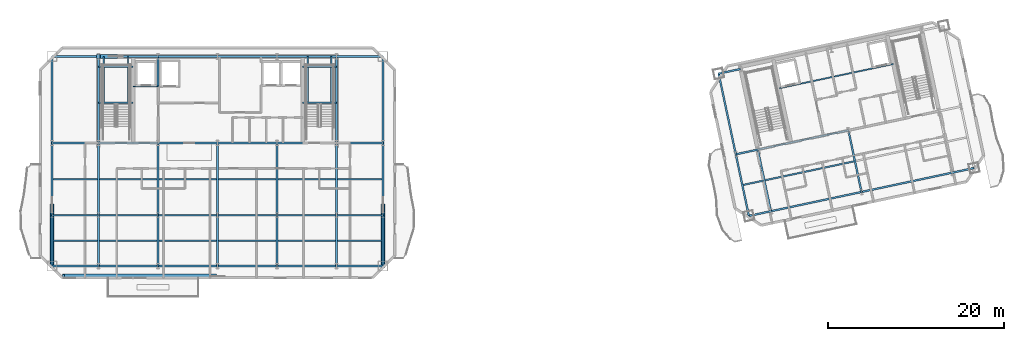
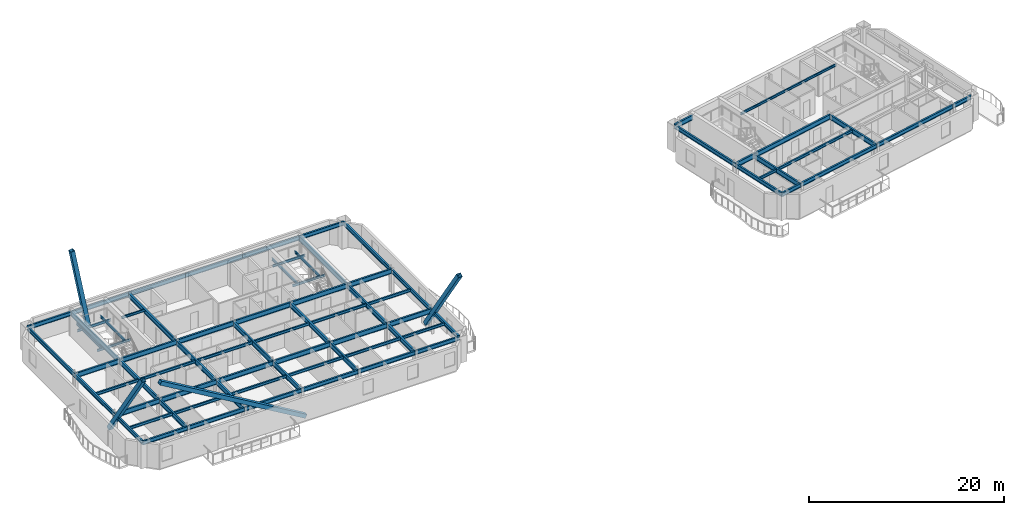
# One storey, part 3 of 14: 78 beams, 4 members.
"""IFC4 building model written with IfcOpenShell, lengths in metres."""

from ifc_helpers import new_model, si_unit, direction, frame, origin, origin_2d, place, context, subcontext, project, spatial, hollow_rectangle, i_section, extrude, material, material_profile, profile_set, type_object, element, save


model = new_model("IFC4")

# Units and contexts
model_context = context("Model", 3, precision=1e-05, world=origin(), true_north=direction((0.0, 1.0)))
body_context = subcontext(model_context, "Body", "Model", "MODEL_VIEW")
ifc_project = project(units=[si_unit("LENGTHUNIT", "METRE"), si_unit("AREAUNIT", "SQUARE_METRE"), si_unit("VOLUMEUNIT", "CUBIC_METRE"), si_unit("PLANEANGLEUNIT", "RADIAN"), si_unit("MASSUNIT", "GRAM", prefix="KILO")], contexts=[model_context])

# Site, building, storey
site_placement = place(None, origin())
site = spatial("IfcSite", under=ifc_project, at=site_placement, CompositionType="ELEMENT")
building_placement = place(site_placement, origin())
building = spatial("IfcBuilding", under=site, at=building_placement, Name="Haevon Station Towers", CompositionType="ELEMENT")
storey_placement = place(building_placement, frame((0.0, 0.0, 228.60009765625)))
storey = spatial("IfcBuildingStorey", under=building, at=storey_placement, Name="L63", CompositionType="ELEMENT", Elevation=228.60009765625)

# Beams
ifc_material_1 = material(Name="Steel S355", Category="steel")
ifc_material_profile_1 = material_profile(ifc_material_1, i_section(OverallWidth=0.199951171875, OverallDepth=0.60009765625, WebThickness=0.010986328125, FlangeThickness=0.01708984375, at=origin_2d()), Name="H-600x200x11x17")
ifc_profile_set_1 = profile_set([ifc_material_profile_1], Name="Steel S355")
beam_type_1 = type_object("IfcBeamType", Name="BM-G600", PredefinedType="BEAM", material=ifc_profile_set_1)
beam_1_placement = place(storey_placement, frame((18.75, 30.0, 2.75), z_axis=(1.0, 0.0, 0.0), x_axis=(0.0, 1.0, 0.0)))
element("IfcBeam", 1, at=beam_1_placement, inside=storey, type_object=beam_type_1, Name="BM-T1U-L63-02-01", PredefinedType="BEAM", context=body_context, shape_type="SweptSolid", body=[
    extrude(i_section(OverallWidth=0.199951171875, OverallDepth=0.60009765625, WebThickness=0.010986328125, FlangeThickness=0.01708984375, at=origin_2d()), origin(), (0.0, 0.0, 1.0), 5.25),
])
for number, where, z_axis, x_axis, name in (
    (2, (24.0, 30.0, 2.75), (1.0, 0.0, 0.0), (0.0, 1.0, 0.0), "BM-T1U-L63-02-02"),
    (3, (30.75, 30.0, 2.75), (1.0, 0.0, 0.0), (0.0, 1.0, 0.0), "BM-T1U-L63-02-03"),
    (4, (37.5, 30.0, 2.75), (1.0, 0.0, 0.0), (0.0, 1.0, 0.0), "BM-T1U-L63-02-04"),
    (5, (44.25, 30.0, 2.75), (1.0, 0.0, 0.0), (0.0, 1.0, 0.0), "BM-T1U-L63-02-05"),
):
    element("IfcBeam", number, at=place(storey_placement, frame(where, z_axis=z_axis, x_axis=x_axis)), inside=storey, type_object=beam_type_1, Name=name, PredefinedType="BEAM", context=body_context, shape_type="SweptSolid", body=[
        extrude(i_section(OverallWidth=0.199951171875, OverallDepth=0.60009765625, WebThickness=0.010986328125, FlangeThickness=0.01708984375, at=origin_2d()), origin(), (0.0, 0.0, 1.0), 6.75),
    ])
for number, where, z_axis, x_axis, name in (
    (6, (51.0, 30.0, 2.75), (1.0, 0.0, 0.0), (0.0, 1.0, 0.0), "BM-T1U-L63-02-06"),
    (7, (18.75, 38.199951171875, 2.75), (1.0, 0.0, 0.0), (0.0, 1.0, 0.0), "BM-T1U-L63-03-01"),
):
    element("IfcBeam", number, at=place(storey_placement, frame(where, z_axis=z_axis, x_axis=x_axis)), inside=storey, type_object=beam_type_1, Name=name, PredefinedType="BEAM", context=body_context, shape_type="SweptSolid", body=[
        extrude(i_section(OverallWidth=0.199951171875, OverallDepth=0.60009765625, WebThickness=0.010986328125, FlangeThickness=0.01708984375, at=origin_2d()), origin(), (0.0, 0.0, 1.0), 5.25),
    ])
for number, where, z_axis, x_axis, name in (
    (8, (24.0, 38.199951171875, 2.75), (1.0, 0.0, 0.0), (0.0, 1.0, 0.0), "BM-T1U-L63-03-02"),
    (9, (30.75, 38.199951171875, 2.75), (1.0, 0.0, 0.0), (0.0, 1.0, 0.0), "BM-T1U-L63-03-03"),
    (10, (37.5, 38.199951171875, 2.75), (1.0, 0.0, 0.0), (0.0, 1.0, 0.0), "BM-T1U-L63-03-04"),
    (11, (44.25, 38.199951171875, 2.75), (1.0, 0.0, 0.0), (0.0, 1.0, 0.0), "BM-T1U-L63-03-05"),
):
    element("IfcBeam", number, at=place(storey_placement, frame(where, z_axis=z_axis, x_axis=x_axis)), inside=storey, type_object=beam_type_1, Name=name, PredefinedType="BEAM", context=body_context, shape_type="SweptSolid", body=[
        extrude(i_section(OverallWidth=0.199951171875, OverallDepth=0.60009765625, WebThickness=0.010986328125, FlangeThickness=0.01708984375, at=origin_2d()), origin(), (0.0, 0.0, 1.0), 6.75),
    ])
beam_2_placement = place(storey_placement, frame((51.0, 38.199951171875, 2.75), z_axis=(1.0, 0.0, 0.0), x_axis=(0.0, 1.0, 0.0)))
element("IfcBeam", 12, at=beam_2_placement, inside=storey, type_object=beam_type_1, Name="BM-T1U-L63-03-06", PredefinedType="BEAM", context=body_context, shape_type="SweptSolid", body=[
    extrude(i_section(OverallWidth=0.199951171875, OverallDepth=0.60009765625, WebThickness=0.010986328125, FlangeThickness=0.01708984375, at=origin_2d()), origin(), (0.0, 0.0, 1.0), 5.25),
])
beam_3_placement = place(storey_placement, frame((24.0, 24.25, 2.75), z_axis=(0.0, 1.0, 0.0), x_axis=(-1.0, 0.0, 0.0)))
element("IfcBeam", 13, at=beam_3_placement, inside=storey, type_object=beam_type_1, Name="BM-T1V-L63-02-01", PredefinedType="BEAM", context=body_context, shape_type="SweptSolid", body=[
    extrude(i_section(OverallWidth=0.199951171875, OverallDepth=0.60009765625, WebThickness=0.010986328125, FlangeThickness=0.01708984375, at=origin_2d()), origin(), (0.0, 0.0, 1.0), 5.75),
])
beam_4_placement = place(storey_placement, frame((24.0, 30.0, 2.75), z_axis=(0.0, 1.0, 0.0), x_axis=(-1.0, 0.0, 0.0)))
element("IfcBeam", 14, at=beam_4_placement, inside=storey, type_object=beam_type_1, Name="BM-T1V-L63-02-02", PredefinedType="BEAM", context=body_context, shape_type="SweptSolid", body=[
    extrude(i_section(OverallWidth=0.199951171875, OverallDepth=0.60009765625, WebThickness=0.010986328125, FlangeThickness=0.01708984375, at=origin_2d()), origin(), (0.0, 0.0, 1.0), 8.199951171875),
])
beam_5_placement = place(storey_placement, frame((24.0, 38.199951171875, 2.75), z_axis=(0.0, 1.0, 0.0), x_axis=(-1.0, 0.0, 0.0)))
element("IfcBeam", 15, at=beam_5_placement, inside=storey, type_object=beam_type_1, Name="BM-T1V-L63-02-03", PredefinedType="BEAM", context=body_context, shape_type="SweptSolid", body=[
    extrude(i_section(OverallWidth=0.199951171875, OverallDepth=0.60009765625, WebThickness=0.010986328125, FlangeThickness=0.01708984375, at=origin_2d()), origin(), (0.0, 0.0, 1.0), 9.800048828125),
])
beam_6_placement = place(storey_placement, frame((30.75, 24.25, 2.75), z_axis=(0.0, 1.0, 0.0), x_axis=(-1.0, 0.0, 0.0)))
element("IfcBeam", 16, at=beam_6_placement, inside=storey, type_object=beam_type_1, Name="BM-T1V-L63-03-01", PredefinedType="BEAM", context=body_context, shape_type="SweptSolid", body=[
    extrude(i_section(OverallWidth=0.199951171875, OverallDepth=0.60009765625, WebThickness=0.010986328125, FlangeThickness=0.01708984375, at=origin_2d()), origin(), (0.0, 0.0, 1.0), 5.75),
])
beam_7_placement = place(storey_placement, frame((30.75, 30.0, 2.75), z_axis=(0.0, 1.0, 0.0), x_axis=(-1.0, 0.0, 0.0)))
element("IfcBeam", 17, at=beam_7_placement, inside=storey, type_object=beam_type_1, Name="BM-T1V-L63-03-02", PredefinedType="BEAM", context=body_context, shape_type="SweptSolid", body=[
    extrude(i_section(OverallWidth=0.199951171875, OverallDepth=0.60009765625, WebThickness=0.010986328125, FlangeThickness=0.01708984375, at=origin_2d()), origin(), (0.0, 0.0, 1.0), 8.199951171875),
])
beam_8_placement = place(storey_placement, frame((30.75, 38.199951171875, 2.75), z_axis=(0.0, 1.0, 0.0), x_axis=(-1.0, 0.0, 0.0)))
element("IfcBeam", 18, at=beam_8_placement, inside=storey, type_object=beam_type_1, Name="BM-T1V-L63-03-03", PredefinedType="BEAM", context=body_context, shape_type="SweptSolid", body=[
    extrude(i_section(OverallWidth=0.199951171875, OverallDepth=0.60009765625, WebThickness=0.010986328125, FlangeThickness=0.01708984375, at=origin_2d()), origin(), (0.0, 0.0, 1.0), 9.800048828125),
])
beam_9_placement = place(storey_placement, frame((37.5, 24.25, 2.75), z_axis=(0.0, 1.0, 0.0), x_axis=(-1.0, 0.0, 0.0)))
element("IfcBeam", 19, at=beam_9_placement, inside=storey, type_object=beam_type_1, Name="BM-T1V-L63-04-01", PredefinedType="BEAM", context=body_context, shape_type="SweptSolid", body=[
    extrude(i_section(OverallWidth=0.199951171875, OverallDepth=0.60009765625, WebThickness=0.010986328125, FlangeThickness=0.01708984375, at=origin_2d()), origin(), (0.0, 0.0, 1.0), 5.75),
])
beam_10_placement = place(storey_placement, frame((37.5, 30.0, 2.75), z_axis=(0.0, 1.0, 0.0), x_axis=(-1.0, 0.0, 0.0)))
element("IfcBeam", 20, at=beam_10_placement, inside=storey, type_object=beam_type_1, Name="BM-T1V-L63-04-02", PredefinedType="BEAM", context=body_context, shape_type="SweptSolid", body=[
    extrude(i_section(OverallWidth=0.199951171875, OverallDepth=0.60009765625, WebThickness=0.010986328125, FlangeThickness=0.01708984375, at=origin_2d()), origin(), (0.0, 0.0, 1.0), 8.199951171875),
])
beam_11_placement = place(storey_placement, frame((44.25, 24.25, 2.75), z_axis=(0.0, 1.0, 0.0), x_axis=(-1.0, 0.0, 0.0)))
element("IfcBeam", 21, at=beam_11_placement, inside=storey, type_object=beam_type_1, Name="BM-T1V-L63-05-01", PredefinedType="BEAM", context=body_context, shape_type="SweptSolid", body=[
    extrude(i_section(OverallWidth=0.199951171875, OverallDepth=0.60009765625, WebThickness=0.010986328125, FlangeThickness=0.01708984375, at=origin_2d()), origin(), (0.0, 0.0, 1.0), 5.75),
])
beam_12_placement = place(storey_placement, frame((44.25, 30.0, 2.75), z_axis=(0.0, 1.0, 0.0), x_axis=(-1.0, 0.0, 0.0)))
element("IfcBeam", 22, at=beam_12_placement, inside=storey, type_object=beam_type_1, Name="BM-T1V-L63-05-02", PredefinedType="BEAM", context=body_context, shape_type="SweptSolid", body=[
    extrude(i_section(OverallWidth=0.199951171875, OverallDepth=0.60009765625, WebThickness=0.010986328125, FlangeThickness=0.01708984375, at=origin_2d()), origin(), (0.0, 0.0, 1.0), 8.199951171875),
])
beam_13_placement = place(storey_placement, frame((51.0, 24.25, 2.75), z_axis=(0.0, 1.0, 0.0), x_axis=(-1.0, 0.0, 0.0)))
element("IfcBeam", 23, at=beam_13_placement, inside=storey, type_object=beam_type_1, Name="BM-T1V-L63-06-01", PredefinedType="BEAM", context=body_context, shape_type="SweptSolid", body=[
    extrude(i_section(OverallWidth=0.199951171875, OverallDepth=0.60009765625, WebThickness=0.010986328125, FlangeThickness=0.01708984375, at=origin_2d()), origin(), (0.0, 0.0, 1.0), 5.75),
])
beam_14_placement = place(storey_placement, frame((51.0, 30.0, 2.75), z_axis=(0.0, 1.0, 0.0), x_axis=(-1.0, 0.0, 0.0)))
element("IfcBeam", 24, at=beam_14_placement, inside=storey, type_object=beam_type_1, Name="BM-T1V-L63-06-02", PredefinedType="BEAM", context=body_context, shape_type="SweptSolid", body=[
    extrude(i_section(OverallWidth=0.199951171875, OverallDepth=0.60009765625, WebThickness=0.010986328125, FlangeThickness=0.01708984375, at=origin_2d()), origin(), (0.0, 0.0, 1.0), 8.199951171875),
])
beam_15_placement = place(storey_placement, frame((51.0, 38.199951171875, 2.75), z_axis=(0.0, 1.0, 0.0), x_axis=(-1.0, 0.0, 0.0)))
element("IfcBeam", 25, at=beam_15_placement, inside=storey, type_object=beam_type_1, Name="BM-T1V-L63-06-03", PredefinedType="BEAM", context=body_context, shape_type="SweptSolid", body=[
    extrude(i_section(OverallWidth=0.199951171875, OverallDepth=0.60009765625, WebThickness=0.010986328125, FlangeThickness=0.01708984375, at=origin_2d()), origin(), (0.0, 0.0, 1.0), 9.800048828125),
])
beam_16_placement = place(storey_placement, frame((96.258056640625, 36.912353515625, 2.75), z_axis=(0.978161040728, 0.207848450565, 0.0), x_axis=(-0.207848450565, 0.978161040728, 0.0)))
element("IfcBeam", 26, at=beam_16_placement, inside=storey, type_object=beam_type_1, Name="BM-T2U-L63-02-01", PredefinedType="BEAM", context=body_context, shape_type="SweptSolid", body=[
    extrude(i_section(OverallWidth=0.199951171875, OverallDepth=0.60009765625, WebThickness=0.010986328125, FlangeThickness=0.01708984375, at=origin_2d()), origin(), (0.0, 0.0, 1.0), 2.550048828125),
])
beam_17_placement = place(storey_placement, frame((98.75244140625, 37.4423828125, 2.75), z_axis=(0.978146794194, 0.207915485254, 0.0), x_axis=(-0.207915485254, 0.978146794194, 0.0)))
element("IfcBeam", 27, at=beam_17_placement, inside=storey, type_object=beam_type_1, Name="BM-T2U-L63-02-02", PredefinedType="BEAM", context=body_context, shape_type="SweptSolid", body=[
    extrude(i_section(OverallWidth=0.199951171875, OverallDepth=0.60009765625, WebThickness=0.010986328125, FlangeThickness=0.01708984375, at=origin_2d()), origin(), (0.0, 0.0, 1.0), 10.5),
])
beam_18_placement = place(storey_placement, frame((94.314208984375, 46.057861328125, 2.75), z_axis=(0.978137432142, 0.207959524531, 0.0), x_axis=(-0.207959524531, 0.978137432142, 0.0)))
element("IfcBeam", 28, at=beam_18_placement, inside=storey, type_object=beam_type_1, Name="BM-T2U-L63-03-01", PredefinedType="BEAM", context=body_context, shape_type="SweptSolid", body=[
    extrude(i_section(OverallWidth=0.199951171875, OverallDepth=0.60009765625, WebThickness=0.010986328125, FlangeThickness=0.01708984375, at=origin_2d()), origin(), (0.0, 0.0, 1.0), 2.5498046875),
])
for number, where, z_axis, x_axis, name in (
    (29, (100.23681640625, 30.45849609375, 2.75), (-0.207898833396, 0.978150333575, 0.0), (-0.978150333575, -0.207898833396, 0.0), "BM-T2V-L63-02-01"),
    (30, (110.50732421875, 32.6416015625, 2.75), (-0.207898833396, 0.978150333575, 0.0), (-0.978150333575, -0.207898833396, 0.0), "BM-T2V-L63-03-01"),
):
    element("IfcBeam", number, at=place(storey_placement, frame(where, z_axis=z_axis, x_axis=x_axis)), inside=storey, type_object=beam_type_1, Name=name, PredefinedType="BEAM", context=body_context, shape_type="SweptSolid", body=[
        extrude(i_section(OverallWidth=0.199951171875, OverallDepth=0.60009765625, WebThickness=0.010986328125, FlangeThickness=0.01708984375, at=origin_2d()), origin(), (0.0, 0.0, 1.0), 7.139892578125),
    ])
ifc_material_profile_2 = material_profile(ifc_material_1, i_section(OverallWidth=0.175048828125, OverallDepth=0.35009765625, WebThickness=0.007080078125, FlangeThickness=0.010986328125, at=origin_2d()), Name="H-350x175x7x11")
ifc_profile_set_2 = profile_set([ifc_material_profile_2], Name="Steel S355")
beam_type_2 = type_object("IfcBeamType", Name="BM-J350", PredefinedType="JOIST", material=ifc_profile_set_2)
beam_19_placement = place(storey_placement, frame((18.860107421875, 27.125, 2.875), z_axis=(1.0, 0.0, 0.0), x_axis=(0.0, 1.0, 0.0)))
element("IfcBeam", 31, at=beam_19_placement, inside=storey, type_object=beam_type_2, Name="BM-T1J-L63-01-01", PredefinedType="JOIST", context=body_context, shape_type="SweptSolid", body=[
    extrude(i_section(OverallWidth=0.175048828125, OverallDepth=0.35009765625, WebThickness=0.007080078125, FlangeThickness=0.010986328125, at=origin_2d()), origin(), (0.0, 0.0, 1.0), 5.02978515625),
])
for number, where, z_axis, x_axis, name in (
    (32, (24.110107421875, 27.125, 2.875), (1.0, 0.0, 0.0), (0.0, 1.0, 0.0), "BM-T1J-L63-01-02"),
    (33, (30.860107421875, 27.125, 2.875), (1.0, 0.0, 0.0), (0.0, 1.0, 0.0), "BM-T1J-L63-01-03"),
    (34, (37.610107421875, 27.125, 2.875), (1.0, 0.0, 0.0), (0.0, 1.0, 0.0), "BM-T1J-L63-01-04"),
    (35, (44.360107421875, 27.125, 2.875), (1.0, 0.0, 0.0), (0.0, 1.0, 0.0), "BM-T1J-L63-01-05"),
):
    element("IfcBeam", number, at=place(storey_placement, frame(where, z_axis=z_axis, x_axis=x_axis)), inside=storey, type_object=beam_type_2, Name=name, PredefinedType="JOIST", context=body_context, shape_type="SweptSolid", body=[
        extrude(i_section(OverallWidth=0.175048828125, OverallDepth=0.35009765625, WebThickness=0.007080078125, FlangeThickness=0.010986328125, at=origin_2d()), origin(), (0.0, 0.0, 1.0), 6.52978515625),
    ])
for number, where, z_axis, x_axis, name in (
    (36, (51.110107421875, 27.125, 2.875), (1.0, 0.0, 0.0), (0.0, 1.0, 0.0), "BM-T1J-L63-01-06"),
    (37, (18.860107421875, 34.10009765625, 2.875), (1.0, 0.0, 0.0), (0.0, 1.0, 0.0), "BM-T1J-L63-02-01"),
):
    element("IfcBeam", number, at=place(storey_placement, frame(where, z_axis=z_axis, x_axis=x_axis)), inside=storey, type_object=beam_type_2, Name=name, PredefinedType="JOIST", context=body_context, shape_type="SweptSolid", body=[
        extrude(i_section(OverallWidth=0.175048828125, OverallDepth=0.35009765625, WebThickness=0.007080078125, FlangeThickness=0.010986328125, at=origin_2d()), origin(), (0.0, 0.0, 1.0), 5.02978515625),
    ])
for number, where, z_axis, x_axis, name in (
    (38, (24.110107421875, 34.10009765625, 2.875), (1.0, 0.0, 0.0), (0.0, 1.0, 0.0), "BM-T1J-L63-02-02"),
    (39, (30.860107421875, 34.10009765625, 2.875), (1.0, 0.0, 0.0), (0.0, 1.0, 0.0), "BM-T1J-L63-02-03"),
    (40, (37.610107421875, 34.10009765625, 2.875), (1.0, 0.0, 0.0), (0.0, 1.0, 0.0), "BM-T1J-L63-02-04"),
    (41, (44.360107421875, 34.10009765625, 2.875), (1.0, 0.0, 0.0), (0.0, 1.0, 0.0), "BM-T1J-L63-02-05"),
):
    element("IfcBeam", number, at=place(storey_placement, frame(where, z_axis=z_axis, x_axis=x_axis)), inside=storey, type_object=beam_type_2, Name=name, PredefinedType="JOIST", context=body_context, shape_type="SweptSolid", body=[
        extrude(i_section(OverallWidth=0.175048828125, OverallDepth=0.35009765625, WebThickness=0.007080078125, FlangeThickness=0.010986328125, at=origin_2d()), origin(), (0.0, 0.0, 1.0), 6.52978515625),
    ])
beam_20_placement = place(storey_placement, frame((51.110107421875, 34.10009765625, 2.875), z_axis=(1.0, 0.0, 0.0), x_axis=(0.0, 1.0, 0.0)))
element("IfcBeam", 42, at=beam_20_placement, inside=storey, type_object=beam_type_2, Name="BM-T1J-L63-02-06", PredefinedType="JOIST", context=body_context, shape_type="SweptSolid", body=[
    extrude(i_section(OverallWidth=0.175048828125, OverallDepth=0.35009765625, WebThickness=0.007080078125, FlangeThickness=0.010986328125, at=origin_2d()), origin(), (0.0, 0.0, 1.0), 5.02978515625),
])
beam_21_placement = place(storey_placement, frame((97.10791015625, 33.443115234375, 2.875), z_axis=(0.978152192783, 0.207890085751, 0.0), x_axis=(-0.207890085751, 0.978152192783, 0.0)))
element("IfcBeam", 43, at=beam_21_placement, inside=storey, type_object=beam_type_2, Name="BM-T2J-L63-01-01", PredefinedType="JOIST", context=body_context, shape_type="SweptSolid", body=[
    extrude(i_section(OverallWidth=0.175048828125, OverallDepth=0.35009765625, WebThickness=0.007080078125, FlangeThickness=0.010986328125, at=origin_2d()), origin(), (0.0, 0.0, 1.0), 2.330078125),
])
beam_22_placement = place(storey_placement, frame((99.602294921875, 33.973388671875, 2.875), z_axis=(0.978149313139, 0.20790363442, 0.0), x_axis=(-0.20790363442, 0.978149313139, 0.0)))
element("IfcBeam", 44, at=beam_22_placement, inside=storey, type_object=beam_type_2, Name="BM-T2J-L63-01-02", PredefinedType="JOIST", context=body_context, shape_type="SweptSolid", body=[
    extrude(i_section(OverallWidth=0.175048828125, OverallDepth=0.35009765625, WebThickness=0.007080078125, FlangeThickness=0.010986328125, at=origin_2d()), origin(), (0.0, 0.0, 1.0), 10.27978515625),
])
ifc_material_profile_3 = material_profile(ifc_material_1, i_section(OverallWidth=0.14990234375, OverallDepth=0.300048828125, WebThickness=0.006591796875, FlangeThickness=0.009033203125, at=origin_2d()), Name="H-300x150x6.5x9")
ifc_profile_set_3 = profile_set([ifc_material_profile_3], Name="Steel S355")
beam_type_3 = type_object("IfcBeamType", Name="BM-LIN300", PredefinedType="LINTEL", material=ifc_profile_set_3)
for number, where, z_axis, x_axis, name in (
    (45, (24.0, 42.743896484375, 1.2998046875), (1.0, 0.0, 0.0), (0.0, 1.0, 0.0), "BM-ST1L-L63-1-S"),
    (46, (24.0, 46.820068359375, 1.2998046875), (1.0, 0.0, 0.0), (0.0, 1.0, 0.0), "BM-ST1L-L63-1-N"),
):
    element("IfcBeam", number, at=place(storey_placement, frame(where, z_axis=z_axis, x_axis=x_axis)), inside=storey, type_object=beam_type_3, Name=name, PredefinedType="LINTEL", context=body_context, shape_type="SweptSolid", body=[
        extrude(i_section(OverallWidth=0.14990234375, OverallDepth=0.300048828125, WebThickness=0.006591796875, FlangeThickness=0.009033203125, at=origin_2d()), origin(), (0.0, 0.0, 1.0), 3.949951171875),
    ])
for number, where, z_axis, x_axis, name in (
    (47, (24.60009765625, 42.743896484375, 1.2998046875), (0.0, 1.0, 0.0), (-1.0, 0.0, 0.0), "BM-ST1L-L63-1-W"),
    (48, (27.35009765625, 42.743896484375, 1.2998046875), (0.0, 1.0, 0.0), (-1.0, 0.0, 0.0), "BM-ST1L-L63-1-E"),
):
    element("IfcBeam", number, at=place(storey_placement, frame(where, z_axis=z_axis, x_axis=x_axis)), inside=storey, type_object=beam_type_3, Name=name, PredefinedType="LINTEL", context=body_context, shape_type="SweptSolid", body=[
        extrude(i_section(OverallWidth=0.14990234375, OverallDepth=0.300048828125, WebThickness=0.006591796875, FlangeThickness=0.009033203125, at=origin_2d()), origin(), (0.0, 0.0, 1.0), 5.256103515625),
    ])
for number, where, z_axis, x_axis, name in (
    (49, (47.14990234375, 42.743896484375, 1.2998046875), (1.0, 0.0, 0.0), (0.0, 1.0, 0.0), "BM-ST2L-L63-1-S"),
    (50, (47.14990234375, 46.820068359375, 1.2998046875), (1.0, 0.0, 0.0), (0.0, 1.0, 0.0), "BM-ST2L-L63-1-N"),
):
    element("IfcBeam", number, at=place(storey_placement, frame(where, z_axis=z_axis, x_axis=x_axis)), inside=storey, type_object=beam_type_3, Name=name, PredefinedType="LINTEL", context=body_context, shape_type="SweptSolid", body=[
        extrude(i_section(OverallWidth=0.14990234375, OverallDepth=0.300048828125, WebThickness=0.006591796875, FlangeThickness=0.009033203125, at=origin_2d()), origin(), (0.0, 0.0, 1.0), 3.85009765625),
    ])
for number, where, z_axis, x_axis, name in (
    (51, (47.75, 42.743896484375, 1.2998046875), (0.0, 1.0, 0.0), (-1.0, 0.0, 0.0), "BM-ST2L-L63-1-W"),
    (52, (50.39990234375, 42.743896484375, 1.2998046875), (0.0, 1.0, 0.0), (-1.0, 0.0, 0.0), "BM-ST2L-L63-1-E"),
):
    element("IfcBeam", number, at=place(storey_placement, frame(where, z_axis=z_axis, x_axis=x_axis)), inside=storey, type_object=beam_type_3, Name=name, PredefinedType="LINTEL", context=body_context, shape_type="SweptSolid", body=[
        extrude(i_section(OverallWidth=0.14990234375, OverallDepth=0.300048828125, WebThickness=0.006591796875, FlangeThickness=0.009033203125, at=origin_2d()), origin(), (0.0, 0.0, 1.0), 5.256103515625),
    ])
beam_23_placement = place(storey_placement, frame((27.949951171875, 44.60009765625, 2.89990234375), z_axis=(1.0, 0.0, 0.0), x_axis=(0.0, 1.0, 0.0)))
element("IfcBeam", 53, at=beam_23_placement, inside=storey, type_object=beam_type_3, Name="BM-T1LIN-L63", PredefinedType="LINTEL", context=body_context, shape_type="SweptSolid", body=[
    extrude(i_section(OverallWidth=0.14990234375, OverallDepth=0.300048828125, WebThickness=0.006591796875, FlangeThickness=0.009033203125, at=origin_2d()), origin(), (0.0, 0.0, 1.0), 2.85009765625),
])
beam_24_placement = place(storey_placement, frame((101.20849609375, 44.4052734375, 2.89990234375), z_axis=(0.978147802964, 0.207910739399, 0.0), x_axis=(-0.207910739399, 0.978147802964, 0.0)))
element("IfcBeam", 54, at=beam_24_placement, inside=storey, type_object=beam_type_3, Name="BM-T2LIN-L63", PredefinedType="LINTEL", context=body_context, shape_type="SweptSolid", body=[
    extrude(i_section(OverallWidth=0.14990234375, OverallDepth=0.300048828125, WebThickness=0.006591796875, FlangeThickness=0.009033203125, at=origin_2d()), origin(), (0.0, 0.0, 1.0), 13.19970703125),
])
ifc_material_profile_4 = material_profile(ifc_material_1, i_section(OverallWidth=0.199951171875, OverallDepth=0.5, WebThickness=0.010009765625, FlangeThickness=0.01611328125, at=origin_2d()), Name="H-500x200x10x16")
ifc_profile_set_4 = profile_set([ifc_material_profile_4], Name="Steel S355")
beam_type_4 = type_object("IfcBeamType", Name="BM-SP500", PredefinedType="SPANDREL", material=ifc_profile_set_4)
beam_25_placement = place(storey_placement, frame((18.75, 24.25, 2.7998046875), z_axis=(1.0, 0.0, 0.0), x_axis=(0.0, 1.0, 0.0)))
element("IfcBeam", 55, at=beam_25_placement, inside=storey, type_object=beam_type_4, Name="BM-T1U-L63-01-01", PredefinedType="SPANDREL", context=body_context, shape_type="SweptSolid", body=[
    extrude(i_section(OverallWidth=0.199951171875, OverallDepth=0.5, WebThickness=0.010009765625, FlangeThickness=0.01611328125, at=origin_2d()), origin(), (0.0, 0.0, 1.0), 5.25),
])
for number, where, z_axis, x_axis, name in (
    (56, (24.0, 24.25, 2.7998046875), (1.0, 0.0, 0.0), (0.0, 1.0, 0.0), "BM-T1U-L63-01-02"),
    (57, (30.75, 24.25, 2.7998046875), (1.0, 0.0, 0.0), (0.0, 1.0, 0.0), "BM-T1U-L63-01-03"),
    (58, (37.5, 24.25, 2.7998046875), (1.0, 0.0, 0.0), (0.0, 1.0, 0.0), "BM-T1U-L63-01-04"),
    (59, (44.25, 24.25, 2.7998046875), (1.0, 0.0, 0.0), (0.0, 1.0, 0.0), "BM-T1U-L63-01-05"),
):
    element("IfcBeam", number, at=place(storey_placement, frame(where, z_axis=z_axis, x_axis=x_axis)), inside=storey, type_object=beam_type_4, Name=name, PredefinedType="SPANDREL", context=body_context, shape_type="SweptSolid", body=[
        extrude(i_section(OverallWidth=0.199951171875, OverallDepth=0.5, WebThickness=0.010009765625, FlangeThickness=0.01611328125, at=origin_2d()), origin(), (0.0, 0.0, 1.0), 6.75),
    ])
for number, where, z_axis, x_axis, name in (
    (60, (51.0, 24.25, 2.7998046875), (1.0, 0.0, 0.0), (0.0, 1.0, 0.0), "BM-T1U-L63-01-06"),
    (61, (18.75, 48.0, 2.7998046875), (1.0, 0.0, 0.0), (0.0, 1.0, 0.0), "BM-T1U-L63-04-01"),
):
    element("IfcBeam", number, at=place(storey_placement, frame(where, z_axis=z_axis, x_axis=x_axis)), inside=storey, type_object=beam_type_4, Name=name, PredefinedType="SPANDREL", context=body_context, shape_type="SweptSolid", body=[
        extrude(i_section(OverallWidth=0.199951171875, OverallDepth=0.5, WebThickness=0.010009765625, FlangeThickness=0.01611328125, at=origin_2d()), origin(), (0.0, 0.0, 1.0), 5.25),
    ])
for number, where, z_axis, x_axis, name in (
    (62, (24.0, 48.0, 2.7998046875), (1.0, 0.0, 0.0), (0.0, 1.0, 0.0), "BM-T1U-L63-04-02"),
    (63, (30.75, 48.0, 2.7998046875), (1.0, 0.0, 0.0), (0.0, 1.0, 0.0), "BM-T1U-L63-04-03"),
    (64, (37.5, 48.0, 2.7998046875), (1.0, 0.0, 0.0), (0.0, 1.0, 0.0), "BM-T1U-L63-04-04"),
    (65, (44.25, 48.0, 2.7998046875), (1.0, 0.0, 0.0), (0.0, 1.0, 0.0), "BM-T1U-L63-04-05"),
):
    element("IfcBeam", number, at=place(storey_placement, frame(where, z_axis=z_axis, x_axis=x_axis)), inside=storey, type_object=beam_type_4, Name=name, PredefinedType="SPANDREL", context=body_context, shape_type="SweptSolid", body=[
        extrude(i_section(OverallWidth=0.199951171875, OverallDepth=0.5, WebThickness=0.010009765625, FlangeThickness=0.01611328125, at=origin_2d()), origin(), (0.0, 0.0, 1.0), 6.75),
    ])
beam_26_placement = place(storey_placement, frame((51.0, 48.0, 2.7998046875), z_axis=(1.0, 0.0, 0.0), x_axis=(0.0, 1.0, 0.0)))
element("IfcBeam", 66, at=beam_26_placement, inside=storey, type_object=beam_type_4, Name="BM-T1U-L63-04-06", PredefinedType="SPANDREL", context=body_context, shape_type="SweptSolid", body=[
    extrude(i_section(OverallWidth=0.199951171875, OverallDepth=0.5, WebThickness=0.010009765625, FlangeThickness=0.01611328125, at=origin_2d()), origin(), (0.0, 0.0, 1.0), 5.25),
])
beam_27_placement = place(storey_placement, frame((18.75, 24.25, 2.7998046875), z_axis=(0.0, 1.0, 0.0), x_axis=(-1.0, 0.0, 0.0)))
element("IfcBeam", 67, at=beam_27_placement, inside=storey, type_object=beam_type_4, Name="BM-T1V-L63-01-01", PredefinedType="SPANDREL", context=body_context, shape_type="SweptSolid", body=[
    extrude(i_section(OverallWidth=0.199951171875, OverallDepth=0.5, WebThickness=0.010009765625, FlangeThickness=0.01611328125, at=origin_2d()), origin(), (0.0, 0.0, 1.0), 5.75),
])
beam_28_placement = place(storey_placement, frame((18.75, 30.0, 2.7998046875), z_axis=(0.0, 1.0, 0.0), x_axis=(-1.0, 0.0, 0.0)))
element("IfcBeam", 68, at=beam_28_placement, inside=storey, type_object=beam_type_4, Name="BM-T1V-L63-01-02", PredefinedType="SPANDREL", context=body_context, shape_type="SweptSolid", body=[
    extrude(i_section(OverallWidth=0.199951171875, OverallDepth=0.5, WebThickness=0.010009765625, FlangeThickness=0.01611328125, at=origin_2d()), origin(), (0.0, 0.0, 1.0), 8.199951171875),
])
beam_29_placement = place(storey_placement, frame((18.75, 38.199951171875, 2.7998046875), z_axis=(0.0, 1.0, 0.0), x_axis=(-1.0, 0.0, 0.0)))
element("IfcBeam", 69, at=beam_29_placement, inside=storey, type_object=beam_type_4, Name="BM-T1V-L63-01-03", PredefinedType="SPANDREL", context=body_context, shape_type="SweptSolid", body=[
    extrude(i_section(OverallWidth=0.199951171875, OverallDepth=0.5, WebThickness=0.010009765625, FlangeThickness=0.01611328125, at=origin_2d()), origin(), (0.0, 0.0, 1.0), 9.800048828125),
])
beam_30_placement = place(storey_placement, frame((56.25, 24.25, 2.7998046875), z_axis=(0.0, 1.0, 0.0), x_axis=(-1.0, 0.0, 0.0)))
element("IfcBeam", 70, at=beam_30_placement, inside=storey, type_object=beam_type_4, Name="BM-T1V-L63-07-01", PredefinedType="SPANDREL", context=body_context, shape_type="SweptSolid", body=[
    extrude(i_section(OverallWidth=0.199951171875, OverallDepth=0.5, WebThickness=0.010009765625, FlangeThickness=0.01611328125, at=origin_2d()), origin(), (0.0, 0.0, 1.0), 5.75),
])
beam_31_placement = place(storey_placement, frame((56.25, 30.0, 2.7998046875), z_axis=(0.0, 1.0, 0.0), x_axis=(-1.0, 0.0, 0.0)))
element("IfcBeam", 71, at=beam_31_placement, inside=storey, type_object=beam_type_4, Name="BM-T1V-L63-07-02", PredefinedType="SPANDREL", context=body_context, shape_type="SweptSolid", body=[
    extrude(i_section(OverallWidth=0.199951171875, OverallDepth=0.5, WebThickness=0.010009765625, FlangeThickness=0.01611328125, at=origin_2d()), origin(), (0.0, 0.0, 1.0), 8.199951171875),
])
beam_32_placement = place(storey_placement, frame((56.25, 38.199951171875, 2.7998046875), z_axis=(0.0, 1.0, 0.0), x_axis=(-1.0, 0.0, 0.0)))
element("IfcBeam", 72, at=beam_32_placement, inside=storey, type_object=beam_type_4, Name="BM-T1V-L63-07-03", PredefinedType="SPANDREL", context=body_context, shape_type="SweptSolid", body=[
    extrude(i_section(OverallWidth=0.199951171875, OverallDepth=0.5, WebThickness=0.010009765625, FlangeThickness=0.01611328125, at=origin_2d()), origin(), (0.0, 0.0, 1.0), 9.800048828125),
])
beam_33_placement = place(storey_placement, frame((97.74267578125, 29.92822265625, 2.7998046875), z_axis=(0.978137432142, 0.207959524531, 0.0), x_axis=(-0.207959524531, 0.978137432142, 0.0)))
element("IfcBeam", 73, at=beam_33_placement, inside=storey, type_object=beam_type_4, Name="BM-T2U-L63-01-01", PredefinedType="SPANDREL", context=body_context, shape_type="SweptSolid", body=[
    extrude(i_section(OverallWidth=0.199951171875, OverallDepth=0.5, WebThickness=0.010009765625, FlangeThickness=0.01611328125, at=origin_2d()), origin(), (0.0, 0.0, 1.0), 2.5498046875),
])
for number, where, z_axis, x_axis, name in (
    (74, (100.23681640625, 30.45849609375, 2.7998046875), (0.978146794194, 0.207915485254, 0.0), (-0.207915485254, 0.978146794194, 0.0), "BM-T2U-L63-01-02"),
    (75, (110.50732421875, 32.6416015625, 2.7998046875), (0.978151522678, 0.207893238667, 0.0), (-0.207893238667, 0.978151522678, 0.0), "BM-T2U-L63-01-03"),
):
    element("IfcBeam", number, at=place(storey_placement, frame(where, z_axis=z_axis, x_axis=x_axis)), inside=storey, type_object=beam_type_4, Name=name, PredefinedType="SPANDREL", context=body_context, shape_type="SweptSolid", body=[
        extrude(i_section(OverallWidth=0.199951171875, OverallDepth=0.5, WebThickness=0.010009765625, FlangeThickness=0.01611328125, at=origin_2d()), origin(), (0.0, 0.0, 1.0), 10.5),
    ])
beam_34_placement = place(storey_placement, frame((120.77783203125, 34.824462890625, 2.7998046875), z_axis=(0.978141572287, 0.207940050407, 0.0), x_axis=(-0.207940050407, 0.978141572287, 0.0)))
element("IfcBeam", 76, at=beam_34_placement, inside=storey, type_object=beam_type_4, Name="BM-T2U-L63-01-04", PredefinedType="SPANDREL", context=body_context, shape_type="SweptSolid", body=[
    extrude(i_section(OverallWidth=0.199951171875, OverallDepth=0.5, WebThickness=0.010009765625, FlangeThickness=0.01611328125, at=origin_2d()), origin(), (0.0, 0.0, 1.0), 2.550048828125),
])
beam_35_placement = place(storey_placement, frame((97.74267578125, 29.92822265625, 2.7998046875), z_axis=(-0.207924594698, 0.97814485784, 0.0), x_axis=(-0.97814485784, -0.207924594698, 0.0)))
element("IfcBeam", 77, at=beam_35_placement, inside=storey, type_object=beam_type_4, Name="BM-T2V-L63-01-01", PredefinedType="SPANDREL", context=body_context, shape_type="SweptSolid", body=[
    extrude(i_section(OverallWidth=0.199951171875, OverallDepth=0.5, WebThickness=0.010009765625, FlangeThickness=0.01611328125, at=origin_2d()), origin(), (0.0, 0.0, 1.0), 7.14013671875),
])
beam_36_placement = place(storey_placement, frame((96.258056640625, 36.912353515625, 2.7998046875), z_axis=(-0.207902477038, 0.978149559138, 0.0), x_axis=(-0.978149559138, -0.207902477038, 0.0)))
element("IfcBeam", 78, at=beam_36_placement, inside=storey, type_object=beam_type_4, Name="BM-T2V-L63-01-02", PredefinedType="SPANDREL", context=body_context, shape_type="SweptSolid", body=[
    extrude(i_section(OverallWidth=0.199951171875, OverallDepth=0.5, WebThickness=0.010009765625, FlangeThickness=0.01611328125, at=origin_2d()), origin(), (0.0, 0.0, 1.0), 9.349853515625),
])

# Members
ifc_material_2 = material(Name="Steel S460", Category="steel")
ifc_material_profile_5 = material_profile(ifc_material_2, hollow_rectangle(XDim=0.47998046875, YDim=0.47998046875, WallThickness=0.02490234375, at=origin_2d()), Name="RHS-480x480x25")
ifc_profile_set_5 = profile_set([ifc_material_profile_5], Name="Steel S460")
member_type = type_object("IfcMemberType", Name="MB-480", PredefinedType="BRACE", material=ifc_profile_set_5)
member_1_placement = place(storey_placement, frame((37.283203125, 23.080078125, 0.443359375), z_axis=(-0.860416248582, 0.0, 0.509591875108), x_axis=(0.0, -1.0, 0.0)))
element("IfcMember", 79, at=member_1_placement, inside=storey, type_object=member_type, Name="BR-T1MB-T09-S-D2B", PredefinedType="BRACE", context=body_context, shape_type="SweptSolid", body=[
    extrude(hollow_rectangle(XDim=0.47998046875, YDim=0.47998046875, WallThickness=0.02490234375, at=origin_2d()), origin(), (0.0, 0.0, 1.0), 20.02880859375),
])
member_2_placement = place(storey_placement, frame((25.927734375, 48.0, 0.5625), z_axis=(-0.187706329923, 0.0, 0.982225195007), x_axis=(0.0, -1.0, 0.0)))
element("IfcMember", 80, at=member_2_placement, inside=storey, type_object=member_type, Name="BR-T1MB-T09-N-D2B", PredefinedType="BRACE", context=body_context, shape_type="SweptSolid", body=[
    extrude(hollow_rectangle(XDim=0.47998046875, YDim=0.47998046875, WallThickness=0.02490234375, at=origin_2d()), origin(), (0.0, 0.0, 1.0), 10.27001953125),
])
for number, where, z_axis, x_axis, name in (
    (81, (18.75, 31.083984375, 0.523681640625), (0.0, -0.559404550752, 0.828894775347), (1.0, 0.0, 0.0), "BR-T1MB-T09-W-D2B"),
    (82, (56.25, 31.083984375, 0.523681640625), (0.0, -0.559404550752, 0.828894775347), (1.0, 0.0, 0.0), "BR-T1MB-T09-E-D2B"),
):
    element("IfcMember", number, at=place(storey_placement, frame(where, z_axis=z_axis, x_axis=x_axis)), inside=storey, type_object=member_type, Name=name, PredefinedType="BRACE", context=body_context, shape_type="SweptSolid", body=[
        extrude(hollow_rectangle(XDim=0.47998046875, YDim=0.47998046875, WallThickness=0.02490234375, at=origin_2d()), origin(), (0.0, 0.0, 1.0), 12.216552734375),
    ])

save(model, "model.ifc")
